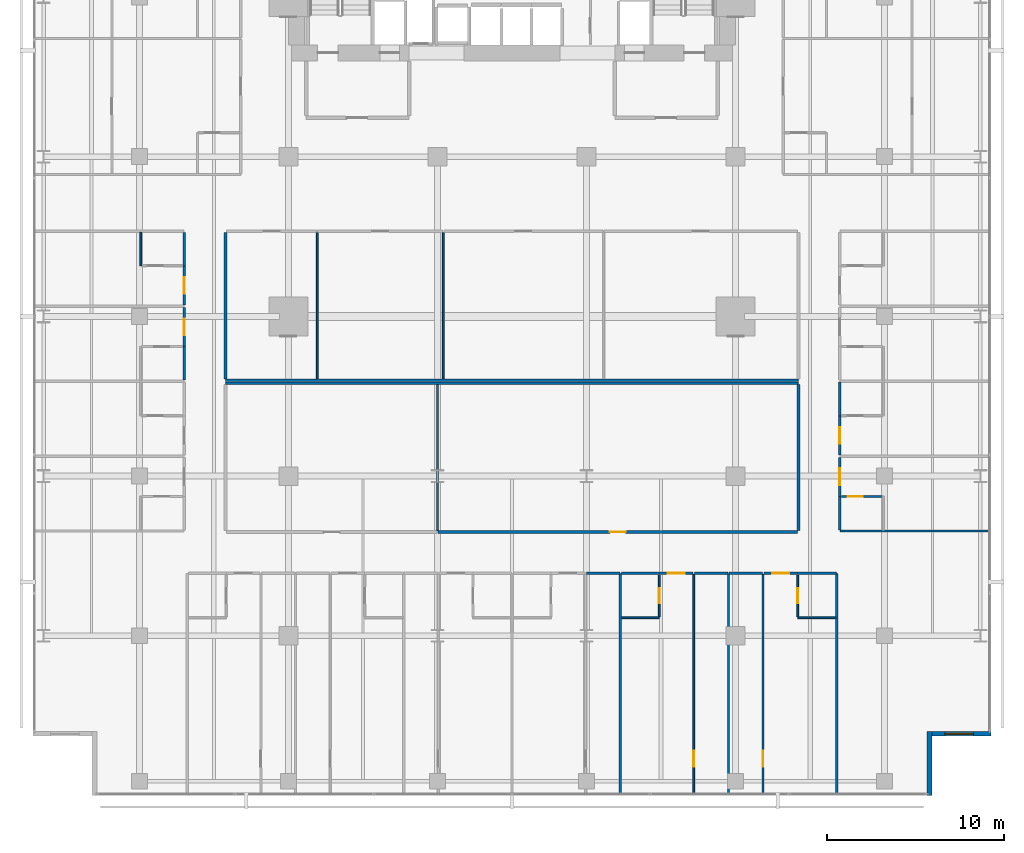
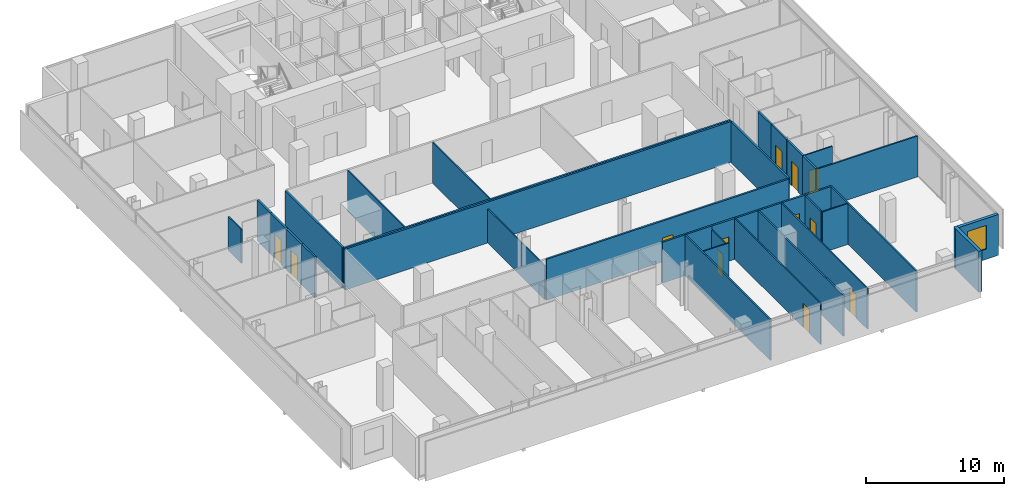
# One storey, part 34 of 40: 37 walls, 12 doors, 1 window, 13 openings.
"""IFC4 building model written with IfcOpenShell, lengths in metres."""

from ifc_helpers import new_model, si_unit, direction, frame, frame_2d, origin, place, context, subcontext, project, spatial, rectangle, extrude, material, layer, layer_set, type_object, element, fill, save


model = new_model("IFC4")

# Units and contexts
model_context = context("Model", 3, precision=1e-05, world=origin(), true_north=direction((0.0, 1.0)))
body_context = subcontext(model_context, "Body", "Model", "MODEL_VIEW")
ifc_project = project(units=[si_unit("LENGTHUNIT", "METRE"), si_unit("AREAUNIT", "SQUARE_METRE"), si_unit("VOLUMEUNIT", "CUBIC_METRE"), si_unit("PLANEANGLEUNIT", "RADIAN"), si_unit("MASSUNIT", "GRAM", prefix="KILO")], contexts=[model_context])

# Site, building, storey
site_placement = place(None, origin())
site = spatial("IfcSite", under=ifc_project, at=site_placement, CompositionType="ELEMENT")
building_placement = place(site_placement, origin())
building = spatial("IfcBuilding", under=site, at=building_placement, Name="Maruvema Waterfront Hotel and Observation Tower", CompositionType="ELEMENT")
storey_placement = place(building_placement, frame((0.0, 0.0, 34.64990234375)))
storey = spatial("IfcBuildingStorey", under=building, at=storey_placement, Name="L07", CompositionType="ELEMENT", Elevation=34.64990234375)

# Walls
ifc_material_1 = material(Name="Twin-stud acoustic gypsum drywall", Category="gypsum")
ifc_layer_1 = layer(ifc_material_1, 0.14990234375, Name="Acoustic Corridor and Suite Demising Wall 150 mm")
ifc_layer_set_1 = layer_set([ifc_layer_1], Name="Twin-stud acoustic gypsum drywall")
wall_type_1 = type_object("IfcWallType", Name="Acoustic Corridor and Suite Demising Wall 150 mm", PredefinedType="PARTITIONING", material=ifc_layer_set_1)
wall_1_placement = place(storey_placement, frame((21.64990234375, 23.39990234375, 0.0), z_axis=(0.0, 0.0, 1.0), x_axis=(1.0, 0.0, 0.0)))
element("IfcWall", 1, at=wall_1_placement, inside=storey, type_object=wall_type_1, Name="L07 L07-INTN Back Wall 012", PredefinedType="PARTITIONING", context=body_context, shape_type="SweptSolid", body=[
    extrude(rectangle(XDim=32.300048828125, YDim=0.14990234375, at=frame_2d((16.14990234375, 0.0))), origin(), (0.0, 0.0, 1.0), 3.610107421875),
])
wall_2_placement = place(storey_placement, frame((21.64990234375, 23.47998046875, 0.0), z_axis=(0.0, 0.0, 1.0), x_axis=(0.0, 1.0, 0.0)))
element("IfcWall", 2, at=wall_2_placement, inside=storey, type_object=wall_type_1, Name="L07 L07-INTN West Wall 013", PredefinedType="PARTITIONING", context=body_context, shape_type="SweptSolid", body=[
    extrude(rectangle(XDim=8.239990234375, YDim=0.14990234375, at=frame_2d((4.1201171875, 0.0))), origin(), (0.0, 0.0, 1.0), 3.610107421875),
])
wall_3_placement = place(storey_placement, frame((21.64990234375, 23.239990234375, 0.0), z_axis=(0.0, 0.0, 1.0), x_axis=(1.0, 0.0, 0.0)))
element("IfcWall", 3, at=wall_3_placement, inside=storey, type_object=wall_type_1, Name="L07 L07-INTS Back Wall 022", PredefinedType="PARTITIONING", context=body_context, shape_type="SweptSolid", body=[
    extrude(rectangle(XDim=32.300048828125, YDim=0.14990234375, at=frame_2d((16.14990234375, 0.0))), origin(), (0.0, 0.0, 1.0), 3.610107421875),
])
wall_4_placement = place(storey_placement, frame((53.949951171875, 14.929931640625, 0.0), z_axis=(0.0, 0.0, 1.0), x_axis=(0.0, 1.0, 0.0)))
element("IfcWall", 4, at=wall_4_placement, inside=storey, type_object=wall_type_1, Name="L07 L07-INTS East Wall 024", PredefinedType="PARTITIONING", context=body_context, shape_type="SweptSolid", body=[
    extrude(rectangle(XDim=8.22998046875, YDim=0.14990234375, at=frame_2d((4.114990234375, 0.0))), origin(), (0.0, 0.0, 1.0), 3.610107421875),
])

# Wall, opening, door
wall_5_placement = place(storey_placement, frame((33.631103515625, 14.85009765625, 0.0), z_axis=(0.0, 0.0, 1.0), x_axis=(1.0, 0.0, 0.0)))
wall_5 = element("IfcWall", 5, at=wall_5_placement, inside=storey, type_object=wall_type_1, Name="L07 L07-INTS Front 2 027", PredefinedType="PARTITIONING", context=body_context, shape_type="SweptSolid", body=[
    extrude(rectangle(XDim=20.2587890625, YDim=0.14990234375, at=frame_2d((10.12939453125, 0.0))), origin(), (0.0, 0.0, 1.0), 3.610107421875),
])
opening_1_placement = place(wall_5_placement, frame((9.679443359375, 0.0, 0.0)))
opening_1 = element("IfcOpeningElement", 6, at=opening_1_placement, cuts=wall_5, Name="Opening DR-090", PredefinedType="OPENING", context=body_context, shape_type="SweptSolid", body=[
    extrude(rectangle(XDim=0.89990234375, YDim=2.10009765625, at=frame_2d((0.449951171875, 1.050048828125))), frame((0.0, 0.0849609375, 0.0), z_axis=(0.0, -1.0, 0.0), x_axis=(1.0, 0.0, 0.0)), (0.0, 0.0, 1.0), 0.169921875),
])
ifc_material_2 = material(Name="Solid-core lacquered timber leaf", Category="wood")
door_type_1 = type_object("IfcDoorType", Name="Accessible Toilet and Room Door 900x2100 mm", OperationType="NOTDEFINED", PredefinedType="DOOR", material=ifc_material_2)
door_1_placement = place(opening_1_placement, frame((0.89990234375, 0.0, 0.0), z_axis=(0.0, 0.0, 1.0), x_axis=(-1.0, 0.0, 0.0)))
door_1 = element("IfcDoor", 7, at=door_1_placement, inside=storey, type_object=door_type_1, Name="L07 Guest Lounge East Door", OperationType="SINGLE_SWING_RIGHT", OverallHeight=2.10009765625, OverallWidth=0.89990234375, PredefinedType="DOOR", context=body_context, shape_type="SweptSolid", body=[
    extrude(rectangle(XDim=0.89990234375, YDim=2.10009765625, at=frame_2d((0.449951171875, 1.050048828125))), frame((0.0, 0.02490234375, 0.0), z_axis=(0.0, -1.0, 0.0), x_axis=(1.0, 0.0, 0.0)), (0.0, 0.0, 1.0), 0.050048828125),
])
fill(opening_1, door_1)

# Walls
wall_6_placement = place(storey_placement, frame((41.989990234375, 12.52001953125, 0.0), z_axis=(0.0, 0.0, 1.0), x_axis=(1.0, 0.0, 0.0)))
element("IfcWall", 8, at=wall_6_placement, inside=storey, type_object=wall_type_1, Name="L07 Bedroom L07-S4 Back Wall 055", PredefinedType="PARTITIONING", context=body_context, shape_type="SweptSolid", body=[
    extrude(rectangle(XDim=1.889892578125, YDim=0.14990234375, at=frame_2d((0.94482421875, 0.0))), origin(), (0.0, 0.0, 1.0), 3.610107421875),
])
wall_7_placement = place(storey_placement, frame((43.97998046875, 12.52001953125, 0.0), z_axis=(0.0, 0.0, 1.0), x_axis=(1.0, 0.0, 0.0)))
element("IfcWall", 9, at=wall_7_placement, inside=storey, type_object=wall_type_1, Name="L07 Bath L07-S5 Back Wall 058", PredefinedType="PARTITIONING", context=body_context, shape_type="SweptSolid", body=[
    extrude(rectangle(XDim=2.1201171875, YDim=0.14990234375, at=frame_2d((1.06005859375, 0.0))), origin(), (0.0, 0.0, 1.0), 3.610107421875),
])

# Wall, opening, door
wall_8_placement = place(storey_placement, frame((46.10009765625, 12.52001953125, 0.0), z_axis=(0.0, 0.0, 1.0), x_axis=(1.0, 0.0, 0.0)))
wall_8 = element("IfcWall", 10, at=wall_8_placement, inside=storey, type_object=wall_type_1, Name="L07 Unit L07-S5 Corridor Wall 061", PredefinedType="PARTITIONING", context=body_context, shape_type="SweptSolid", body=[
    extrude(rectangle(XDim=1.909912109375, YDim=0.14990234375, at=frame_2d((0.955078125, 0.0))), origin(), (0.0, 0.0, 1.0), 3.610107421875),
])
opening_2_placement = place(wall_8_placement, frame((0.47998046875, 0.0, 0.0)))
opening_2 = element("IfcOpeningElement", 11, at=opening_2_placement, cuts=wall_8, Name="Opening DR-095", PredefinedType="OPENING", context=body_context, shape_type="SweptSolid", body=[
    extrude(rectangle(XDim=0.949951171875, YDim=2.14990234375, at=frame_2d((0.47509765625, 1.074951171875))), frame((0.0, 0.0849609375, 0.0), z_axis=(0.0, -1.0, 0.0), x_axis=(1.0, 0.0, 0.0)), (0.0, 0.0, 1.0), 0.169921875),
])
ifc_material_3 = material(Name="Acoustic solid-core hardwood timber leaf", Category="wood")
door_type_2 = type_object("IfcDoorType", Name="Guestroom Entrance Fire Door 950x2150 mm", OperationType="NOTDEFINED", PredefinedType="DOOR", material=ifc_material_3)
door_2_placement = place(opening_2_placement, frame((0.949951171875, 0.0, 0.0), z_axis=(0.0, 0.0, 1.0), x_axis=(-1.0, 0.0, 0.0)))
door_2 = element("IfcDoor", 12, at=door_2_placement, inside=storey, type_object=door_type_2, Name="L07 Unit L07-S5 Entrance Door", OperationType="SINGLE_SWING_RIGHT", OverallHeight=2.14990234375, OverallWidth=0.949951171875, PredefinedType="DOOR", context=body_context, shape_type="SweptSolid", body=[
    extrude(rectangle(XDim=0.949951171875, YDim=2.14990234375, at=frame_2d((0.47509765625, 1.074951171875))), frame((0.0, 0.02490234375, 0.0), z_axis=(0.0, -1.0, 0.0), x_axis=(1.0, 0.0, 0.0)), (0.0, 0.0, 1.0), 0.050048828125),
])
fill(opening_2, door_2)

# Walls
wall_9_placement = place(storey_placement, frame((48.090087890625, 12.52001953125, 0.0), z_axis=(0.0, 0.0, 1.0), x_axis=(1.0, 0.0, 0.0)))
element("IfcWall", 13, at=wall_9_placement, inside=storey, type_object=wall_type_1, Name="L07 Bedroom L07-S5 Back Wall 062", PredefinedType="PARTITIONING", context=body_context, shape_type="SweptSolid", body=[
    extrude(rectangle(XDim=1.889892578125, YDim=0.14990234375, at=frame_2d((0.94482421875, 0.0))), origin(), (0.0, 0.0, 1.0), 3.610107421875),
])
wall_10_placement = place(storey_placement, frame((53.89990234375, 12.52001953125, 0.0), z_axis=(0.0, 0.0, 1.0), x_axis=(1.0, 0.0, 0.0)))
element("IfcWall", 14, at=wall_10_placement, inside=storey, type_object=wall_type_1, Name="L07 Bath L07-S6 Back Wall 065", PredefinedType="PARTITIONING", context=body_context, shape_type="SweptSolid", body=[
    extrude(rectangle(XDim=2.18017578125, YDim=0.14990234375, at=frame_2d((1.090087890625, 0.0))), origin(), (0.0, 0.0, 1.0), 3.610107421875),
])
wall_11_placement = place(storey_placement, frame((50.02001953125, 12.52001953125, 0.0), z_axis=(0.0, 0.0, 1.0), x_axis=(1.0, 0.0, 0.0)))
element("IfcWall", 15, at=wall_11_placement, inside=storey, type_object=wall_type_1, Name="L07 Bedroom L07-S6 Back Wall 068", PredefinedType="PARTITIONING", context=body_context, shape_type="SweptSolid", body=[
    extrude(rectangle(XDim=1.889892578125, YDim=0.14990234375, at=frame_2d((0.94482421875, 0.0))), origin(), (0.0, 0.0, 1.0), 3.610107421875),
])

# Wall, opening, door
wall_12_placement = place(storey_placement, frame((51.989990234375, 12.52001953125, 0.0), z_axis=(0.0, 0.0, 1.0), x_axis=(1.0, 0.0, 0.0)))
wall_12 = element("IfcWall", 16, at=wall_12_placement, inside=storey, type_object=wall_type_1, Name="L07 Unit L07-S6 Corridor Wall 069", PredefinedType="PARTITIONING", context=body_context, shape_type="SweptSolid", body=[
    extrude(rectangle(XDim=1.909912109375, YDim=0.14990234375, at=frame_2d((0.955078125, 0.0))), origin(), (0.0, 0.0, 1.0), 3.610107421875),
])
opening_3_placement = place(wall_12_placement, frame((0.47998046875, 0.0, 0.0)))
opening_3 = element("IfcOpeningElement", 17, at=opening_3_placement, cuts=wall_12, Name="Opening DR-095", PredefinedType="OPENING", context=body_context, shape_type="SweptSolid", body=[
    extrude(rectangle(XDim=0.949951171875, YDim=2.14990234375, at=frame_2d((0.47509765625, 1.074951171875))), frame((0.0, 0.0849609375, 0.0), z_axis=(0.0, -1.0, 0.0), x_axis=(1.0, 0.0, 0.0)), (0.0, 0.0, 1.0), 0.169921875),
])
door_3_placement = place(opening_3_placement, frame((0.949951171875, 0.0, 0.0), z_axis=(0.0, 0.0, 1.0), x_axis=(-1.0, 0.0, 0.0)))
door_3 = element("IfcDoor", 18, at=door_3_placement, inside=storey, type_object=door_type_2, Name="L07 Unit L07-S6 Entrance Door", OperationType="SINGLE_SWING_LEFT", OverallHeight=2.14990234375, OverallWidth=0.949951171875, PredefinedType="DOOR", context=body_context, shape_type="SweptSolid", body=[
    extrude(rectangle(XDim=0.949951171875, YDim=2.14990234375, at=frame_2d((0.47509765625, 1.074951171875))), frame((0.0, 0.02490234375, 0.0), z_axis=(0.0, -1.0, 0.0), x_axis=(1.0, 0.0, 0.0)), (0.0, 0.0, 1.0), 0.050048828125),
])
fill(opening_3, door_3)

# Wall
wall_13_placement = place(storey_placement, frame((56.280029296875, 14.9599609375, 0.0), z_axis=(0.0, 0.0, 1.0), x_axis=(0.0, 1.0, 0.0)))
element("IfcWall", 19, at=wall_13_placement, inside=storey, type_object=wall_type_1, Name="L07 Bath L07-E1 Wall 079", PredefinedType="PARTITIONING", context=body_context, shape_type="SweptSolid", body=[
    extrude(rectangle(XDim=1.89013671875, YDim=0.14990234375, at=frame_2d((0.945068359375, 0.0))), origin(), (0.0, 0.0, 1.0), 3.610107421875),
])

# Wall, opening, door
wall_14_placement = place(storey_placement, frame((56.280029296875, 16.85009765625, 0.0), z_axis=(0.0, 0.0, 1.0), x_axis=(0.0, 1.0, 0.0)))
wall_14 = element("IfcWall", 20, at=wall_14_placement, inside=storey, type_object=wall_type_1, Name="L07 Room L07-E1 Corridor Wall 080", PredefinedType="PARTITIONING", context=body_context, shape_type="SweptSolid", body=[
    extrude(rectangle(XDim=2.2099609375, YDim=0.14990234375, at=frame_2d((1.10498046875, 0.0))), origin(), (0.0, 0.0, 1.0), 3.610107421875),
])
opening_4_placement = place(wall_14_placement, frame((0.6298828125, 0.0, 0.0)))
opening_4 = element("IfcOpeningElement", 21, at=opening_4_placement, cuts=wall_14, Name="Opening DR-095", PredefinedType="OPENING", context=body_context, shape_type="SweptSolid", body=[
    extrude(rectangle(XDim=0.949951171875, YDim=2.14990234375, at=frame_2d((0.47509765625, 1.074951171875))), frame((0.0, 0.0849609375, 0.0), z_axis=(0.0, -1.0, 0.0), x_axis=(1.0, 0.0, 0.0)), (0.0, 0.0, 1.0), 0.169921875),
])
door_4_placement = place(opening_4_placement, frame((0.949951171875, 0.0, 0.0), z_axis=(0.0, 0.0, 1.0), x_axis=(-1.0, 0.0, 0.0)))
door_4 = element("IfcDoor", 22, at=door_4_placement, inside=storey, type_object=door_type_2, Name="L07 Room L07-E1 Entrance Door", OperationType="SINGLE_SWING_RIGHT", OverallHeight=2.14990234375, OverallWidth=0.949951171875, PredefinedType="DOOR", context=body_context, shape_type="SweptSolid", body=[
    extrude(rectangle(XDim=0.949951171875, YDim=2.14990234375, at=frame_2d((0.47509765625, 1.074951171875))), frame((0.0, 0.02490234375, 0.0), z_axis=(0.0, -1.0, 0.0), x_axis=(1.0, 0.0, 0.0)), (0.0, 0.0, 1.0), 0.050048828125),
])
fill(opening_4, door_4)

wall_15_placement = place(storey_placement, frame((56.280029296875, 19.179931640625, 0.0), z_axis=(0.0, 0.0, 1.0), x_axis=(0.0, 1.0, 0.0)))
wall_15 = element("IfcWall", 23, at=wall_15_placement, inside=storey, type_object=wall_type_1, Name="L07 Room L07-E2 Corridor Wall 089", PredefinedType="PARTITIONING", context=body_context, shape_type="SweptSolid", body=[
    extrude(rectangle(XDim=2.219970703125, YDim=0.14990234375, at=frame_2d((1.10986328125, 0.0))), origin(), (0.0, 0.0, 1.0), 3.610107421875),
])
opening_5_placement = place(wall_15_placement, frame((0.635009765625, 0.0, 0.0)))
opening_5 = element("IfcOpeningElement", 24, at=opening_5_placement, cuts=wall_15, Name="Opening DR-095", PredefinedType="OPENING", context=body_context, shape_type="SweptSolid", body=[
    extrude(rectangle(XDim=0.949951171875, YDim=2.14990234375, at=frame_2d((0.47509765625, 1.074951171875))), frame((0.0, 0.0849609375, 0.0), z_axis=(0.0, -1.0, 0.0), x_axis=(1.0, 0.0, 0.0)), (0.0, 0.0, 1.0), 0.169921875),
])
door_5_placement = place(opening_5_placement, frame((0.949951171875, 0.0, 0.0), z_axis=(0.0, 0.0, 1.0), x_axis=(-1.0, 0.0, 0.0)))
door_5 = element("IfcDoor", 25, at=door_5_placement, inside=storey, type_object=door_type_2, Name="L07 Room L07-E2 Entrance Door", OperationType="SINGLE_SWING_RIGHT", OverallHeight=2.14990234375, OverallWidth=0.949951171875, PredefinedType="DOOR", context=body_context, shape_type="SweptSolid", body=[
    extrude(rectangle(XDim=0.949951171875, YDim=2.14990234375, at=frame_2d((0.47509765625, 1.074951171875))), frame((0.0, 0.02490234375, 0.0), z_axis=(0.0, -1.0, 0.0), x_axis=(1.0, 0.0, 0.0)), (0.0, 0.0, 1.0), 0.050048828125),
])
fill(opening_5, door_5)

# Walls
for number, where, z_axis, x_axis, name in (
    (26, (56.280029296875, 21.39990234375, 0.0), (0.0, 0.0, 1.0), (0.0, 1.0, 0.0), "L07 Bath L07-E2 Wall 090"),
    (27, (19.320068359375, 23.409912109375, 0.0), (0.0, 0.0, 1.0), (0.0, 1.0, 0.0), "L07 Bath L07-W3 Wall 095"),
):
    element("IfcWall", number, at=place(storey_placement, frame(where, z_axis=z_axis, x_axis=x_axis)), inside=storey, type_object=wall_type_1, Name=name, PredefinedType="PARTITIONING", context=body_context, shape_type="SweptSolid", body=[
        extrude(rectangle(XDim=1.89013671875, YDim=0.14990234375, at=frame_2d((0.945068359375, 0.0))), origin(), (0.0, 0.0, 1.0), 3.610107421875),
    ])

# Wall, opening, door
wall_16_placement = place(storey_placement, frame((19.320068359375, 25.300048828125, 0.0), z_axis=(0.0, 0.0, 1.0), x_axis=(0.0, 1.0, 0.0)))
wall_16 = element("IfcWall", 28, at=wall_16_placement, inside=storey, type_object=wall_type_1, Name="L07 Room L07-W3 Corridor Wall 096", PredefinedType="PARTITIONING", context=body_context, shape_type="SweptSolid", body=[
    extrude(rectangle(XDim=2.2099609375, YDim=0.14990234375, at=frame_2d((1.10498046875, 0.0))), origin(), (0.0, 0.0, 1.0), 3.610107421875),
])
opening_6_placement = place(wall_16_placement, frame((0.6298828125, 0.0, 0.0)))
opening_6 = element("IfcOpeningElement", 29, at=opening_6_placement, cuts=wall_16, Name="Opening DR-095", PredefinedType="OPENING", context=body_context, shape_type="SweptSolid", body=[
    extrude(rectangle(XDim=0.949951171875, YDim=2.14990234375, at=frame_2d((0.47509765625, 1.074951171875))), frame((0.0, 0.0849609375, 0.0), z_axis=(0.0, -1.0, 0.0), x_axis=(1.0, 0.0, 0.0)), (0.0, 0.0, 1.0), 0.169921875),
])
door_6_placement = place(opening_6_placement, origin())
door_6 = element("IfcDoor", 30, at=door_6_placement, inside=storey, type_object=door_type_2, Name="L07 Room L07-W3 Entrance Door", OperationType="SINGLE_SWING_RIGHT", OverallHeight=2.14990234375, OverallWidth=0.949951171875, PredefinedType="DOOR", context=body_context, shape_type="SweptSolid", body=[
    extrude(rectangle(XDim=0.949951171875, YDim=2.14990234375, at=frame_2d((0.47509765625, 1.074951171875))), frame((0.0, 0.02490234375, 0.0), z_axis=(0.0, -1.0, 0.0), x_axis=(1.0, 0.0, 0.0)), (0.0, 0.0, 1.0), 0.050048828125),
])
fill(opening_6, door_6)

wall_17_placement = place(storey_placement, frame((19.320068359375, 27.6298828125, 0.0), z_axis=(0.0, 0.0, 1.0), x_axis=(0.0, 1.0, 0.0)))
wall_17 = element("IfcWall", 31, at=wall_17_placement, inside=storey, type_object=wall_type_1, Name="L07 Room L07-W4 Corridor Wall 105", PredefinedType="PARTITIONING", context=body_context, shape_type="SweptSolid", body=[
    extrude(rectangle(XDim=2.22021484375, YDim=0.14990234375, at=frame_2d((1.110107421875, 0.0))), origin(), (0.0, 0.0, 1.0), 3.610107421875),
])
opening_7_placement = place(wall_17_placement, frame((0.635009765625, 0.0, 0.0)))
opening_7 = element("IfcOpeningElement", 32, at=opening_7_placement, cuts=wall_17, Name="Opening DR-095", PredefinedType="OPENING", context=body_context, shape_type="SweptSolid", body=[
    extrude(rectangle(XDim=0.949951171875, YDim=2.14990234375, at=frame_2d((0.47509765625, 1.074951171875))), frame((0.0, 0.0849609375, 0.0), z_axis=(0.0, -1.0, 0.0), x_axis=(1.0, 0.0, 0.0)), (0.0, 0.0, 1.0), 0.169921875),
])
door_7_placement = place(opening_7_placement, origin())
door_7 = element("IfcDoor", 33, at=door_7_placement, inside=storey, type_object=door_type_2, Name="L07 Room L07-W4 Entrance Door", OperationType="SINGLE_SWING_RIGHT", OverallHeight=2.14990234375, OverallWidth=0.949951171875, PredefinedType="DOOR", context=body_context, shape_type="SweptSolid", body=[
    extrude(rectangle(XDim=0.949951171875, YDim=2.14990234375, at=frame_2d((0.47509765625, 1.074951171875))), frame((0.0, 0.02490234375, 0.0), z_axis=(0.0, -1.0, 0.0), x_axis=(1.0, 0.0, 0.0)), (0.0, 0.0, 1.0), 0.050048828125),
])
fill(opening_7, door_7)

# Walls
wall_18_placement = place(storey_placement, frame((19.320068359375, 29.85009765625, 0.0), z_axis=(0.0, 0.0, 1.0), x_axis=(0.0, 1.0, 0.0)))
element("IfcWall", 34, at=wall_18_placement, inside=storey, type_object=wall_type_1, Name="L07 Bath L07-W4 Wall 106", PredefinedType="PARTITIONING", context=body_context, shape_type="SweptSolid", body=[
    extrude(rectangle(XDim=1.889892578125, YDim=0.14990234375, at=frame_2d((0.94482421875, 0.0))), origin(), (0.0, 0.0, 1.0), 3.610107421875),
])
ifc_material_4 = material(Name="Moisture-resistant cement-board drywall", Category="gypsum")
ifc_layer_2 = layer(ifc_material_4, 0.10009765625, Name="En-Suite Moisture-Resistant Partition 100 mm")
ifc_layer_set_2 = layer_set([ifc_layer_2], Name="Moisture-resistant cement-board drywall")
wall_type_2 = type_object("IfcWallType", Name="En-Suite Moisture-Resistant Partition 100 mm", PredefinedType="PARTITIONING", material=ifc_layer_set_2)
for number, where, z_axis, x_axis, name in (
    (35, (26.818115234375, 23.47998046875, 0.0), (0.0, 0.0, 1.0), (0.0, 1.0, 0.0), "L07 L07-INTN Split 1 016"),
    (36, (33.924072265625, 23.47998046875, 0.0), (0.0, 0.0, 1.0), (0.0, 1.0, 0.0), "L07 L07-INTN Split 2 018"),
):
    element("IfcWall", number, at=place(storey_placement, frame(where, z_axis=z_axis, x_axis=x_axis)), inside=storey, type_object=wall_type_2, Name=name, PredefinedType="PARTITIONING", context=body_context, shape_type="SweptSolid", body=[
        extrude(rectangle(XDim=8.239990234375, YDim=0.10009765625, at=frame_2d((4.1201171875, 0.0))), origin(), (0.0, 0.0, 1.0), 3.610107421875),
    ])
wall_19_placement = place(storey_placement, frame((33.60107421875, 14.929931640625, 0.0), z_axis=(0.0, 0.0, 1.0), x_axis=(0.0, 1.0, 0.0)))
element("IfcWall", 37, at=wall_19_placement, inside=storey, type_object=wall_type_2, Name="L07 L07-INTS Split 1 026", PredefinedType="PARTITIONING", context=body_context, shape_type="SweptSolid", body=[
    extrude(rectangle(XDim=8.22998046875, YDim=0.10009765625, at=frame_2d((4.114990234375, 0.0))), origin(), (0.0, 0.0, 1.0), 2.988037109375),
])
wall_20_placement = place(storey_placement, frame((43.97998046875, 10.02001953125, 0.0), z_axis=(0.0, 0.0, 1.0), x_axis=(1.0, 0.0, 0.0)))
element("IfcWall", 38, at=wall_20_placement, inside=storey, type_object=wall_type_2, Name="L07 En-Suite L07-S5 South 059", PredefinedType="PARTITIONING", context=body_context, shape_type="SweptSolid", body=[
    extrude(rectangle(XDim=2.1201171875, YDim=0.10009765625, at=frame_2d((1.06005859375, 0.0))), origin(), (0.0, 0.0, 1.0), 3.610107421875),
])

# Wall, opening, door
wall_21_placement = place(storey_placement, frame((46.10009765625, 10.080078125, 0.0), z_axis=(0.0, 0.0, 1.0), x_axis=(0.0, 1.0, 0.0)))
wall_21 = element("IfcWall", 39, at=wall_21_placement, inside=storey, type_object=wall_type_2, Name="L07 En-Suite L07-S5 East 060", PredefinedType="PARTITIONING", context=body_context, shape_type="SweptSolid", body=[
    extrude(rectangle(XDim=2.33984375, YDim=0.10009765625, at=frame_2d((1.169921875, 0.0))), origin(), (0.0, 0.0, 1.0), 3.30419921875),
])
opening_8_placement = place(wall_21_placement, frame((0.7451171875, 0.0, 0.0)))
opening_8 = element("IfcOpeningElement", 40, at=opening_8_placement, cuts=wall_21, Name="Opening DR-085", PredefinedType="OPENING", context=body_context, shape_type="SweptSolid", body=[
    extrude(rectangle(XDim=0.85009765625, YDim=2.10009765625, at=frame_2d((0.425048828125, 1.050048828125))), frame((0.0, 0.06005859375, 0.0), z_axis=(0.0, -1.0, 0.0), x_axis=(1.0, 0.0, 0.0)), (0.0, 0.0, 1.0), 0.1201171875),
])
ifc_material_5 = material(Name="Moisture-resistant solid timber leaf", Category="wood")
door_type_3 = type_object("IfcDoorType", Name="En-Suite Bathroom Door 850x2100 mm", OperationType="NOTDEFINED", PredefinedType="DOOR", material=ifc_material_5)
door_8_placement = place(opening_8_placement, frame((0.85009765625, 0.0, 0.0), z_axis=(0.0, 0.0, 1.0), x_axis=(-1.0, 0.0, 0.0)))
door_8 = element("IfcDoor", 41, at=door_8_placement, inside=storey, type_object=door_type_3, Name="L07 En-Suite L07-S5 Door", OperationType="SINGLE_SWING_LEFT", OverallHeight=2.10009765625, OverallWidth=0.85009765625, PredefinedType="DOOR", context=body_context, shape_type="SweptSolid", body=[
    extrude(rectangle(XDim=0.85009765625, YDim=2.10009765625, at=frame_2d((0.425048828125, 1.050048828125))), frame((0.0, 0.02490234375, 0.0), z_axis=(0.0, -1.0, 0.0), x_axis=(1.0, 0.0, 0.0)), (0.0, 0.0, 1.0), 0.050048828125),
])
fill(opening_8, door_8)

wall_22_placement = place(storey_placement, frame((48.050048828125, 0.030029296875, 0.0), z_axis=(0.0, 0.0, 1.0), x_axis=(0.0, 1.0, 0.0)))
wall_22 = element("IfcWall", 42, at=wall_22_placement, inside=storey, type_object=wall_type_2, Name="L07 Suite L07-S5 Split 063", PredefinedType="PARTITIONING", context=body_context, shape_type="SweptSolid", body=[
    extrude(rectangle(XDim=12.429931640625, YDim=0.10009765625, at=frame_2d((6.21484375, 0.0))), origin(), (0.0, 0.0, 1.0), 3.610107421875),
])
opening_9_placement = place(wall_22_placement, frame((1.60009765625, 0.0, 0.0)))
opening_9 = element("IfcOpeningElement", 43, at=opening_9_placement, cuts=wall_22, Name="Opening DR-090", PredefinedType="OPENING", context=body_context, shape_type="SweptSolid", body=[
    extrude(rectangle(XDim=0.89990234375, YDim=2.10009765625, at=frame_2d((0.449951171875, 1.050048828125))), frame((0.0, 0.06005859375, 0.0), z_axis=(0.0, -1.0, 0.0), x_axis=(1.0, 0.0, 0.0)), (0.0, 0.0, 1.0), 0.1201171875),
])
door_9_placement = place(opening_9_placement, origin())
door_9 = element("IfcDoor", 44, at=door_9_placement, inside=storey, type_object=door_type_1, Name="L07 Suite L07-S5 Bedroom Door", OperationType="SINGLE_SWING_LEFT", OverallHeight=2.10009765625, OverallWidth=0.89990234375, PredefinedType="DOOR", context=body_context, shape_type="SweptSolid", body=[
    extrude(rectangle(XDim=0.89990234375, YDim=2.10009765625, at=frame_2d((0.449951171875, 1.050048828125))), frame((0.0, 0.02490234375, 0.0), z_axis=(0.0, -1.0, 0.0), x_axis=(1.0, 0.0, 0.0)), (0.0, 0.0, 1.0), 0.050048828125),
])
fill(opening_9, door_9)

# Wall
wall_23_placement = place(storey_placement, frame((53.89990234375, 10.02001953125, 0.0), z_axis=(0.0, 0.0, 1.0), x_axis=(1.0, 0.0, 0.0)))
element("IfcWall", 45, at=wall_23_placement, inside=storey, type_object=wall_type_2, Name="L07 En-Suite L07-S6 South 066", PredefinedType="PARTITIONING", context=body_context, shape_type="SweptSolid", body=[
    extrude(rectangle(XDim=2.16015625, YDim=0.10009765625, at=frame_2d((1.080078125, 0.0))), origin(), (0.0, 0.0, 1.0), 3.610107421875),
])

# Wall, opening, door
wall_24_placement = place(storey_placement, frame((53.89990234375, 10.080078125, 0.0), z_axis=(0.0, 0.0, 1.0), x_axis=(0.0, 1.0, 0.0)))
wall_24 = element("IfcWall", 46, at=wall_24_placement, inside=storey, type_object=wall_type_2, Name="L07 En-Suite L07-S6 West 067", PredefinedType="PARTITIONING", context=body_context, shape_type="SweptSolid", body=[
    extrude(rectangle(XDim=2.33984375, YDim=0.10009765625, at=frame_2d((1.169921875, 0.0))), origin(), (0.0, 0.0, 1.0), 3.610107421875),
])
opening_10_placement = place(wall_24_placement, frame((0.7451171875, 0.0, 0.0)))
opening_10 = element("IfcOpeningElement", 47, at=opening_10_placement, cuts=wall_24, Name="Opening DR-085", PredefinedType="OPENING", context=body_context, shape_type="SweptSolid", body=[
    extrude(rectangle(XDim=0.85009765625, YDim=2.10009765625, at=frame_2d((0.425048828125, 1.050048828125))), frame((0.0, 0.06005859375, 0.0), z_axis=(0.0, -1.0, 0.0), x_axis=(1.0, 0.0, 0.0)), (0.0, 0.0, 1.0), 0.1201171875),
])
door_10_placement = place(opening_10_placement, origin())
door_10 = element("IfcDoor", 48, at=door_10_placement, inside=storey, type_object=door_type_3, Name="L07 En-Suite L07-S6 Door", OperationType="SINGLE_SWING_RIGHT", OverallHeight=2.10009765625, OverallWidth=0.85009765625, PredefinedType="DOOR", context=body_context, shape_type="SweptSolid", body=[
    extrude(rectangle(XDim=0.85009765625, YDim=2.10009765625, at=frame_2d((0.425048828125, 1.050048828125))), frame((0.0, 0.02490234375, 0.0), z_axis=(0.0, -1.0, 0.0), x_axis=(1.0, 0.0, 0.0)), (0.0, 0.0, 1.0), 0.050048828125),
])
fill(opening_10, door_10)

wall_25_placement = place(storey_placement, frame((51.949951171875, 0.030029296875, 0.0), z_axis=(0.0, 0.0, 1.0), x_axis=(0.0, 1.0, 0.0)))
wall_25 = element("IfcWall", 49, at=wall_25_placement, inside=storey, type_object=wall_type_2, Name="L07 Suite L07-S6 Split 070", PredefinedType="PARTITIONING", context=body_context, shape_type="SweptSolid", body=[
    extrude(rectangle(XDim=12.429931640625, YDim=0.10009765625, at=frame_2d((6.21484375, 0.0))), origin(), (0.0, 0.0, 1.0), 3.610107421875),
])
opening_11_placement = place(wall_25_placement, frame((1.60009765625, 0.0, 0.0)))
opening_11 = element("IfcOpeningElement", 50, at=opening_11_placement, cuts=wall_25, Name="Opening DR-090", PredefinedType="OPENING", context=body_context, shape_type="SweptSolid", body=[
    extrude(rectangle(XDim=0.89990234375, YDim=2.10009765625, at=frame_2d((0.449951171875, 1.050048828125))), frame((0.0, 0.06005859375, 0.0), z_axis=(0.0, -1.0, 0.0), x_axis=(1.0, 0.0, 0.0)), (0.0, 0.0, 1.0), 0.1201171875),
])
door_11_placement = place(opening_11_placement, frame((0.89990234375, 0.0, 0.0), z_axis=(0.0, 0.0, 1.0), x_axis=(-1.0, 0.0, 0.0)))
door_11 = element("IfcDoor", 51, at=door_11_placement, inside=storey, type_object=door_type_1, Name="L07 Suite L07-S6 Bedroom Door", OperationType="SINGLE_SWING_RIGHT", OverallHeight=2.10009765625, OverallWidth=0.89990234375, PredefinedType="DOOR", context=body_context, shape_type="SweptSolid", body=[
    extrude(rectangle(XDim=0.89990234375, YDim=2.10009765625, at=frame_2d((0.449951171875, 1.050048828125))), frame((0.0, 0.02490234375, 0.0), z_axis=(0.0, -1.0, 0.0), x_axis=(1.0, 0.0, 0.0)), (0.0, 0.0, 1.0), 0.050048828125),
])
fill(opening_11, door_11)

wall_26_placement = place(storey_placement, frame((56.3798828125, 16.85009765625, 0.0), z_axis=(0.0, 0.0, 1.0), x_axis=(1.0, 0.0, 0.0)))
wall_26 = element("IfcWall", 52, at=wall_26_placement, inside=storey, type_object=wall_type_2, Name="L07 En-Suite L07-E1 N 082", PredefinedType="PARTITIONING", context=body_context, shape_type="SweptSolid", body=[
    extrude(rectangle(XDim=2.300048828125, YDim=0.10009765625, at=frame_2d((1.14990234375, 0.0))), origin(), (0.0, 0.0, 1.0), 3.610107421875),
])
opening_12_placement = place(wall_26_placement, frame((0.35009765625, 0.0, 0.0)))
opening_12 = element("IfcOpeningElement", 53, at=opening_12_placement, cuts=wall_26, Name="Opening DR-085", PredefinedType="OPENING", context=body_context, shape_type="SweptSolid", body=[
    extrude(rectangle(XDim=0.85009765625, YDim=2.10009765625, at=frame_2d((0.425048828125, 1.050048828125))), frame((0.0, 0.06005859375, 0.0), z_axis=(0.0, -1.0, 0.0), x_axis=(1.0, 0.0, 0.0)), (0.0, 0.0, 1.0), 0.1201171875),
])
door_12_placement = place(opening_12_placement, origin())
door_12 = element("IfcDoor", 54, at=door_12_placement, inside=storey, type_object=door_type_3, Name="L07 En-Suite L07-E1 Door", OperationType="SINGLE_SWING_LEFT", OverallHeight=2.10009765625, OverallWidth=0.85009765625, PredefinedType="DOOR", context=body_context, shape_type="SweptSolid", body=[
    extrude(rectangle(XDim=0.85009765625, YDim=2.10009765625, at=frame_2d((0.425048828125, 1.050048828125))), frame((0.0, 0.02490234375, 0.0), z_axis=(0.0, -1.0, 0.0), x_axis=(1.0, 0.0, 0.0)), (0.0, 0.0, 1.0), 0.050048828125),
])
fill(opening_12, door_12)

# Walls
wall_27_placement = place(storey_placement, frame((16.8701171875, 29.85009765625, 0.0), z_axis=(0.0, 0.0, 1.0), x_axis=(0.0, 1.0, 0.0)))
element("IfcWall", 55, at=wall_27_placement, inside=storey, type_object=wall_type_2, Name="L07 En-Suite L07-W4 W 107", PredefinedType="PARTITIONING", context=body_context, shape_type="SweptSolid", body=[
    extrude(rectangle(XDim=1.889892578125, YDim=0.10009765625, at=frame_2d((0.94482421875, 0.0))), origin(), (0.0, 0.0, 1.0), 2.988037109375),
])
ifc_material_6 = material(Name="Precast concrete C45/55 with honed Pernambuco granite facing", Category="masonry")
ifc_layer_3 = layer(ifc_material_6, 0.260009765625, Name="Exterior Granite Clad Spandrel and Pier Wall 260 mm")
ifc_layer_set_3 = layer_set([ifc_layer_3], Name="Precast concrete C45/55 with honed Pernambuco granite facing")
wall_type_3 = type_object("IfcWallType", Name="Exterior Granite Clad Spandrel and Pier Wall 260 mm", PredefinedType="SOLIDWALL", material=ifc_layer_set_3)
wall_28_placement = place(storey_placement, frame((61.330078125, 3.60009765625, 0.0), z_axis=(0.0, 0.0, 1.0), x_axis=(0.0, -1.0, 0.0)))
element("IfcWall", 56, at=wall_28_placement, inside=storey, type_object=wall_type_3, Name="L07 Corner Notch Granite Pier Wall SE1", PredefinedType="SOLIDWALL", context=body_context, shape_type="SweptSolid", body=[
    extrude(rectangle(XDim=3.60009765625, YDim=0.260009765625, at=frame_2d((1.800048828125, 0.0))), origin(), (0.0, 0.0, 1.0), 3.610107421875),
])

# Wall, opening, window
wall_29_placement = place(storey_placement, frame((64.800048828125, 3.469970703125, 0.0), z_axis=(0.0, 0.0, 1.0), x_axis=(-1.0, 0.0, 0.0)))
wall_29 = element("IfcWall", 57, at=wall_29_placement, inside=storey, type_object=wall_type_3, Name="L07 Corner Notch Granite Pier Wall SE2", PredefinedType="SOLIDWALL", context=body_context, shape_type="SweptSolid", body=[
    extrude(rectangle(XDim=3.60009765625, YDim=0.260009765625, at=frame_2d((1.800048828125, 0.0))), origin(), (0.0, 0.0, 1.0), 3.610107421875),
])
opening_13_placement = place(wall_29_placement, frame((1.0, 0.0, 0.89990234375)))
opening_13 = element("IfcOpeningElement", 58, at=opening_13_placement, cuts=wall_29, Name="Opening WN-01", PredefinedType="OPENING", context=body_context, shape_type="SweptSolid", body=[
    extrude(rectangle(XDim=1.60009765625, YDim=2.10009765625, at=frame_2d((0.800048828125, 1.050048828125))), frame((0.0, 0.14013671875, 0.0), z_axis=(0.0, -1.0, 0.0), x_axis=(1.0, 0.0, 0.0)), (0.0, 0.0, 1.0), 0.280029296875),
])
ifc_material_7 = material(Name="Anodised bronze aluminium frame with laminated low-E glass", Category="aluminium")
window_type = type_object("IfcWindowType", Name="Corner Notch Feature Window 1600x2100 mm", PartitioningType="SINGLE_PANEL", PredefinedType="WINDOW", material=ifc_material_7)
window_placement = place(opening_13_placement, origin())
window = element("IfcWindow", 59, at=window_placement, inside=storey, type_object=window_type, Name="L07 Corner Notch Punched Window SE2", OverallHeight=2.10009765625, OverallWidth=1.60009765625, PartitioningType="SINGLE_PANEL", PredefinedType="WINDOW", context=body_context, shape_type="SweptSolid", body=[
    extrude(rectangle(XDim=1.60009765625, YDim=2.10009765625, at=frame_2d((0.800048828125, 1.050048828125))), frame((0.0, 0.030029296875, 0.0), z_axis=(0.0, -1.0, 0.0), x_axis=(1.0, 0.0, 0.0)), (0.0, 0.0, 1.0), 0.06005859375),
])
fill(opening_13, window)

# Walls
ifc_material_8 = material(Name="Acoustic gypsum plasterboard drywall", Category="gypsum")
ifc_layer_4 = layer(ifc_material_8, 0.125, Name="Guestroom Acoustic Demising Wall 125 mm")
ifc_layer_set_4 = layer_set([ifc_layer_4], Name="Acoustic gypsum plasterboard drywall")
wall_type_4 = type_object("IfcWallType", Name="Guestroom Acoustic Demising Wall 125 mm", PredefinedType="PARTITIONING", material=ifc_layer_set_4)
for number, where, z_axis, x_axis, name in (
    (60, (56.10009765625, 0.10009765625, 0.0), (0.0, 0.0, 1.0), (0.0, 1.0, 0.0), "L07 S East End 029"),
    (61, (43.89990234375, 0.10009765625, 0.0), (0.0, 0.0, 1.0), (0.0, 1.0, 0.0), "L07 S Demising 5 057"),
    (62, (50.0, 0.10009765625, 0.0), (0.0, 0.0, 1.0), (0.0, 1.0, 0.0), "L07 S Demising 6 064"),
):
    element("IfcWall", number, at=place(storey_placement, frame(where, z_axis=z_axis, x_axis=x_axis)), inside=storey, type_object=wall_type_4, Name=name, PredefinedType="PARTITIONING", context=body_context, shape_type="SweptSolid", body=[
        extrude(rectangle(XDim=12.419921875, YDim=0.125, at=frame_2d((6.2099609375, 0.0))), origin(), (0.0, 0.0, 1.0), 3.610107421875),
    ])
wall_30_placement = place(storey_placement, frame((56.280029296875, 14.89990234375, 0.0), z_axis=(0.0, 0.0, 1.0), x_axis=(1.0, 0.0, 0.0)))
element("IfcWall", 63, at=wall_30_placement, inside=storey, type_object=wall_type_4, Name="L07 E Bot End 072", PredefinedType="PARTITIONING", context=body_context, shape_type="SweptSolid", body=[
    extrude(rectangle(XDim=8.419921875, YDim=0.125, at=frame_2d((4.2099609375, 0.0))), origin(), (0.0, 0.0, 1.0), 3.610107421875),
])

save(model, "model.ifc")
